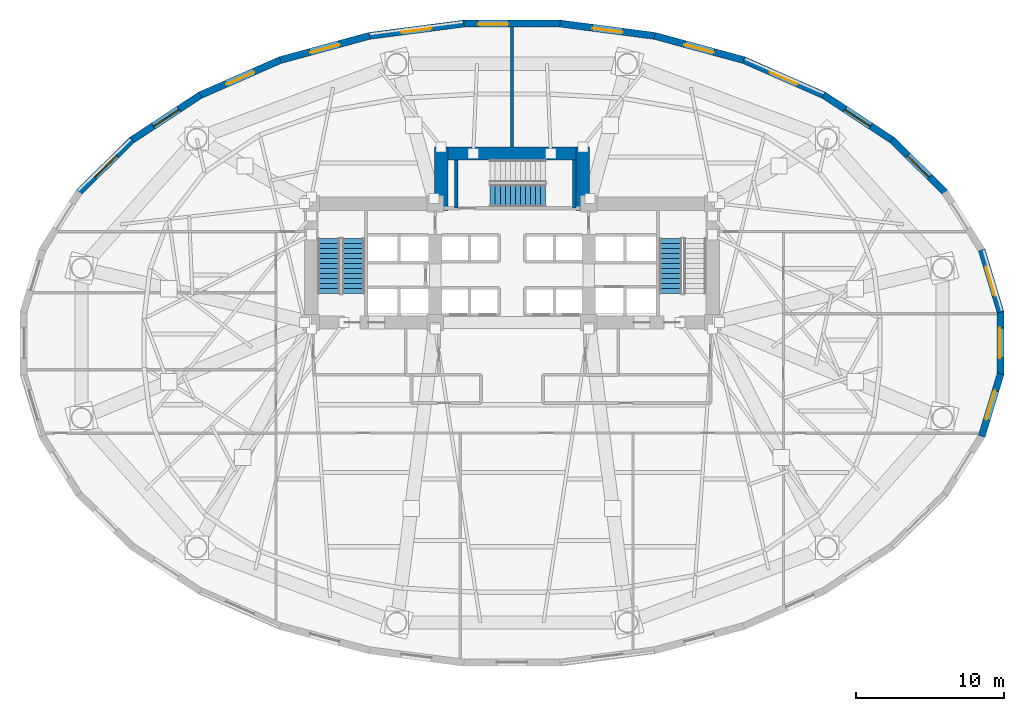
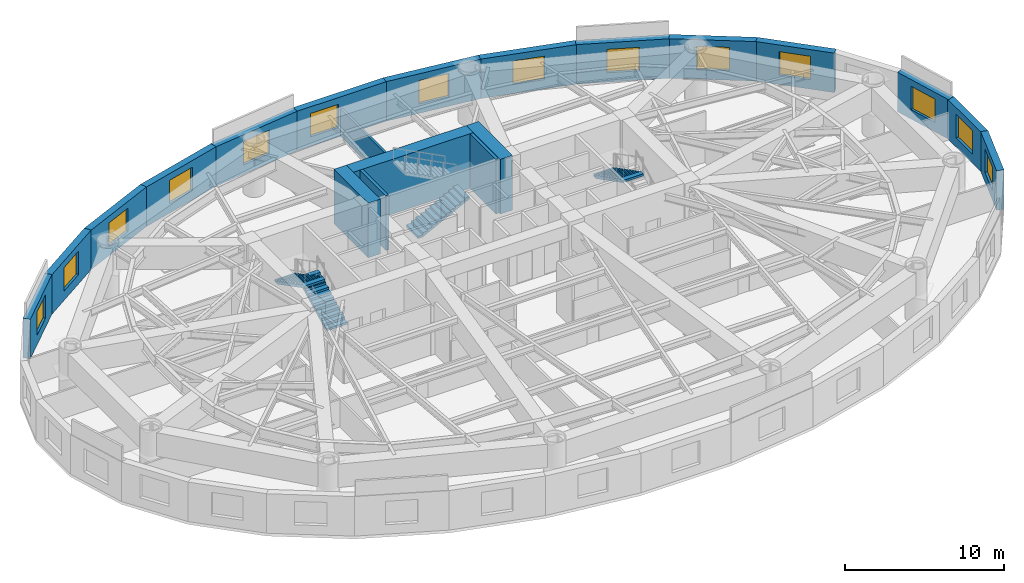
# One storey, part 8 of 14: 20 walls, 14 windows, 4 stair flights, 14 openings, 3 elements without a shape of their own.
"""IFC4 building model written with IfcOpenShell, lengths in metres."""

from ifc_helpers import new_model, si_unit, direction, frame, frame_2d, origin, place, context, subcontext, project, spatial, polyline, rectangle, outline, extrude, material, layer, layer_set, type_object, element, fill, aggregate, save


model = new_model("IFC4")

# Units and contexts
model_context = context("Model", 3, precision=1e-05, world=origin(), true_north=direction((0.0, 1.0)))
body_context = subcontext(model_context, "Body", "Model", "MODEL_VIEW")
ifc_project = project(units=[si_unit("LENGTHUNIT", "METRE"), si_unit("AREAUNIT", "SQUARE_METRE"), si_unit("VOLUMEUNIT", "CUBIC_METRE"), si_unit("PLANEANGLEUNIT", "RADIAN"), si_unit("MASSUNIT", "GRAM", prefix="KILO")], contexts=[model_context])

# Site, building, storey
site_placement = place(None, origin())
site = spatial("IfcSite", under=ifc_project, at=site_placement, CompositionType="ELEMENT")
building_placement = place(site_placement, origin())
building = spatial("IfcBuilding", under=site, at=building_placement, Name="Keldmark Tower", CompositionType="ELEMENT")
storey_placement = place(building_placement, frame((0.0, 0.0, 22.800048828125)))
storey = spatial("IfcBuildingStorey", under=building, at=storey_placement, Name="L05", CompositionType="ELEMENT", Elevation=22.800048828125)

# Walls
ifc_material_1 = material(Name="STC-58 Insulated Tenant Demising Gypsum Partition", Category="gypsum")
ifc_layer_1 = layer(ifc_material_1, 0.175048828125)
ifc_layer_set_1 = layer_set([ifc_layer_1], Name="STC-58 Insulated Tenant Demising Gypsum Partition")
wall_type_1 = type_object("IfcWallType", Name="Demising Suite Partition 175 mm", PredefinedType="PARTITIONING", material=ifc_layer_set_1)
wall_1_placement = place(storey_placement, frame((0.0, 13.300048828125, 0.0), z_axis=(0.0, 0.0, 1.0), x_axis=(0.0, 1.0, 0.0)))
element("IfcWall", 1, at=wall_1_placement, inside=storey, type_object=wall_type_1, Name="L05 Demising Suite Partition 175 mm N-MID-DIV", PredefinedType="PARTITIONING", context=body_context, shape_type="SweptSolid", body=[
    extrude(rectangle(XDim=8.10595703125, YDim=0.175048828125, at=frame_2d((4.052978515625, 0.0))), origin(), (0.0, 0.0, 1.0), 2.08984375),
])
ifc_material_2 = material(Name="Concrete C70/85", Category="concrete")
ifc_layer_2 = layer(ifc_material_2, 0.89990234375)
ifc_layer_set_2 = layer_set([ifc_layer_2], Name="Concrete C70/85")
wall_type_2 = type_object("IfcWallType", Name="Lower Core Shear Wall 900 mm", PredefinedType="SHEAR", material=ifc_layer_set_2)
wall_2_placement = place(storey_placement, frame((-5.25, 12.85009765625, 0.0), z_axis=(0.0, 0.0, 1.0), x_axis=(1.0, 0.0, 0.0)))
element("IfcWall", 2, at=wall_2_placement, inside=storey, type_object=wall_type_2, Name="L05 North Core Shear Wall", PredefinedType="SHEAR", context=body_context, shape_type="SweptSolid", body=[
    extrude(rectangle(XDim=10.5, YDim=0.89990234375, at=frame_2d((5.25, 0.0))), origin(), (0.0, 0.0, 1.0), 4.199951171875),
])
for number, where, z_axis, x_axis, name in (
    (3, (-4.800048828125, 9.0, 0.0), (0.0, 0.0, 1.0), (0.0, 1.0, 0.0), "L05 North Core West Shear Wall"),
    (4, (4.800048828125, 9.0, 0.0), (0.0, 0.0, 1.0), (0.0, 1.0, 0.0), "L05 North Core East Shear Wall"),
):
    element("IfcWall", number, at=place(storey_placement, frame(where, z_axis=z_axis, x_axis=x_axis)), inside=storey, type_object=wall_type_2, Name=name, PredefinedType="SHEAR", context=body_context, shape_type="SweptSolid", body=[
        extrude(rectangle(XDim=4.300048828125, YDim=0.89990234375, at=frame_2d((2.14990234375, 0.0))), origin(), (0.0, 0.0, 1.0), 4.199951171875),
    ])

# Wall, opening, window
ifc_material_3 = material(Name="Ironspot Manganese Brick and Kasota Buff Limestone Cavity Assembly", Category="masonry")
ifc_layer_3 = layer(ifc_material_3, 0.47998046875)
ifc_layer_set_3 = layer_set([ifc_layer_3], Name="Ironspot Manganese Brick and Kasota Buff Limestone Cavity Assembly")
wall_type_3 = type_object("IfcWallType", Name="Podium Brick and Limestone Cavity Wall 480 mm", PredefinedType="STANDARD", material=ifc_layer_set_3)
wall_3_placement = place(storey_placement, frame((31.827880859375, 6.316650390625, 0.0), z_axis=(0.0, 0.0, 1.0), x_axis=(0.289855603468, -0.957070388811, 0.0)))
wall_3 = element("IfcWall", 5, at=wall_3_placement, inside=storey, type_object=wall_type_3, Name="L05 Exterior Brick and Spandrel Wall 01", PredefinedType="STANDARD", context=body_context, shape_type="SweptSolid", body=[
    extrude(rectangle(XDim=4.41943359375, YDim=0.47998046875, at=frame_2d((2.209716796875, 0.0))), origin(), (0.0, 0.0, 1.0), 3.032958984375),
])
opening_1_placement = place(wall_3_placement, frame((1.184814453125, 0.0, 0.719970703125)))
opening_1 = element("IfcOpeningElement", 6, at=opening_1_placement, cuts=wall_3, Name="Opening W-07", PredefinedType="OPENING", context=body_context, shape_type="SweptSolid", body=[
    extrude(rectangle(XDim=2.050048828125, YDim=1.800048828125, at=frame_2d((1.02490234375, 0.89990234375))), frame((0.0, 0.25, 0.0), z_axis=(0.0, -1.0, 0.0), x_axis=(1.0, 0.0, 0.0)), (0.0, 0.0, 1.0), 0.5),
])
ifc_material_4 = material(Name="Thermally Broken Anodized Aluminum and Triple Low-E Argon Glazing", Category="aluminium")
window_type = type_object("IfcWindowType", Name="Podium Mezzanine Punched Window 2050x1800", PartitioningType="DOUBLE_PANEL_VERTICAL", PredefinedType="WINDOW", material=ifc_material_4)
window_1_placement = place(opening_1_placement, origin())
window_1 = element("IfcWindow", 7, at=window_1_placement, inside=storey, type_object=window_type, Name="L05 Deep-Set Window 01", OverallHeight=1.800048828125, OverallWidth=2.050048828125, PartitioningType="SINGLE_PANEL", PredefinedType="WINDOW", context=body_context, shape_type="SweptSolid", body=[
    extrude(rectangle(XDim=2.050048828125, YDim=1.800048828125, at=frame_2d((1.02490234375, 0.89990234375))), frame((0.0, -0.010009765625, 0.0), z_axis=(0.0, -1.0, 0.0), x_axis=(1.0, 0.0, 0.0)), (0.0, 0.0, 1.0), 0.06005859375),
])
fill(opening_1, window_1)

wall_4_placement = place(storey_placement, frame((25.727783203125, 13.785400390625, 0.0), z_axis=(0.0, 0.0, 1.0), x_axis=(0.713189080178, -0.700971708355, 0.0)))
wall_4 = element("IfcWall", 8, at=wall_4_placement, inside=storey, type_object=wall_type_3, Name="L05 Exterior Brick and Spandrel Wall 03", PredefinedType="STANDARD", context=body_context, shape_type="SweptSolid", body=[
    extrude(rectangle(XDim=5.11572265625, YDim=0.47998046875, at=frame_2d((2.557861328125, 0.0))), origin(), (0.0, 0.0, 1.0), 3.032958984375),
])
opening_2_placement = place(wall_4_placement, frame((1.532958984375, 0.0, 0.719970703125)))
opening_2 = element("IfcOpeningElement", 9, at=opening_2_placement, cuts=wall_4, Name="Opening W-07", PredefinedType="OPENING", context=body_context, shape_type="SweptSolid", body=[
    extrude(rectangle(XDim=2.050048828125, YDim=1.800048828125, at=frame_2d((1.02490234375, 0.89990234375))), frame((0.0, 0.25, 0.0), z_axis=(0.0, -1.0, 0.0), x_axis=(1.0, 0.0, 0.0)), (0.0, 0.0, 1.0), 0.5),
])
window_2_placement = place(opening_2_placement, origin())
window_2 = element("IfcWindow", 10, at=window_2_placement, inside=storey, type_object=window_type, Name="L05 Deep-Set Window 03", OverallHeight=1.800048828125, OverallWidth=2.050048828125, PartitioningType="SINGLE_PANEL", PredefinedType="WINDOW", context=body_context, shape_type="SweptSolid", body=[
    extrude(rectangle(XDim=2.050048828125, YDim=1.800048828125, at=frame_2d((1.02490234375, 0.89990234375))), frame((0.0, -0.010009765625, 0.0), z_axis=(0.0, -1.0, 0.0), x_axis=(1.0, 0.0, 0.0)), (0.0, 0.0, 1.0), 0.06005859375),
])
fill(opening_2, window_2)

wall_5_placement = place(storey_placement, frame((21.12060546875, 16.8056640625, 0.0), z_axis=(0.0, 0.0, 1.0), x_axis=(0.835863918172, -0.548936708827, 0.0)))
wall_5 = element("IfcWall", 11, at=wall_5_placement, inside=storey, type_object=wall_type_3, Name="L05 Exterior Brick and Spandrel Wall 04", PredefinedType="STANDARD", context=body_context, shape_type="SweptSolid", body=[
    extrude(rectangle(XDim=5.555419921875, YDim=0.47998046875, at=frame_2d((2.77783203125, 0.0))), origin(), (0.0, 0.0, 1.0), 3.032958984375),
])
opening_3_placement = place(wall_5_placement, frame((1.752685546875, 0.0, 0.719970703125)))
opening_3 = element("IfcOpeningElement", 12, at=opening_3_placement, cuts=wall_5, Name="Opening W-07", PredefinedType="OPENING", context=body_context, shape_type="SweptSolid", body=[
    extrude(rectangle(XDim=2.050048828125, YDim=1.800048828125, at=frame_2d((1.02490234375, 0.89990234375))), frame((0.0, 0.25, 0.0), z_axis=(0.0, -1.0, 0.0), x_axis=(1.0, 0.0, 0.0)), (0.0, 0.0, 1.0), 0.5),
])
window_3_placement = place(opening_3_placement, origin())
window_3 = element("IfcWindow", 13, at=window_3_placement, inside=storey, type_object=window_type, Name="L05 Deep-Set Window 04", OverallHeight=1.800048828125, OverallWidth=2.050048828125, PartitioningType="SINGLE_PANEL", PredefinedType="WINDOW", context=body_context, shape_type="SweptSolid", body=[
    extrude(rectangle(XDim=2.050048828125, YDim=1.800048828125, at=frame_2d((1.02490234375, 0.89990234375))), frame((0.0, -0.010009765625, 0.0), z_axis=(0.0, -1.0, 0.0), x_axis=(1.0, 0.0, 0.0)), (0.0, 0.0, 1.0), 0.06005859375),
])
fill(opening_3, window_3)

wall_6_placement = place(storey_placement, frame((15.6953125, 19.1826171875, 0.0), z_axis=(0.0, 0.0, 1.0), x_axis=(0.91570760638, -0.401845218484, 0.0)))
wall_6 = element("IfcWall", 14, at=wall_6_placement, inside=storey, type_object=wall_type_3, Name="L05 Exterior Brick and Spandrel Wall 05", PredefinedType="STANDARD", context=body_context, shape_type="SweptSolid", body=[
    extrude(rectangle(XDim=5.963134765625, YDim=0.47998046875, at=frame_2d((2.9814453125, 0.0))), origin(), (0.0, 0.0, 1.0), 3.032958984375),
])
opening_4_placement = place(wall_6_placement, frame((1.95654296875, 0.0, 0.719970703125)))
opening_4 = element("IfcOpeningElement", 15, at=opening_4_placement, cuts=wall_6, Name="Opening W-07", PredefinedType="OPENING", context=body_context, shape_type="SweptSolid", body=[
    extrude(rectangle(XDim=2.050048828125, YDim=1.800048828125, at=frame_2d((1.02490234375, 0.89990234375))), frame((0.0, 0.25, 0.0), z_axis=(0.0, -1.0, 0.0), x_axis=(1.0, 0.0, 0.0)), (0.0, 0.0, 1.0), 0.5),
])
window_4_placement = place(opening_4_placement, origin())
window_4 = element("IfcWindow", 16, at=window_4_placement, inside=storey, type_object=window_type, Name="L05 Deep-Set Window 05", OverallHeight=1.800048828125, OverallWidth=2.050048828125, PartitioningType="SINGLE_PANEL", PredefinedType="WINDOW", context=body_context, shape_type="SweptSolid", body=[
    extrude(rectangle(XDim=2.050048828125, YDim=1.800048828125, at=frame_2d((1.02490234375, 0.89990234375))), frame((0.0, -0.010009765625, 0.0), z_axis=(0.0, -1.0, 0.0), x_axis=(1.0, 0.0, 0.0)), (0.0, 0.0, 1.0), 0.06005859375),
])
fill(opening_4, window_4)

wall_7_placement = place(storey_placement, frame((9.66162109375, 20.821044921875, 0.0), z_axis=(0.0, 0.0, 1.0), x_axis=(0.964936550718, -0.262483243445, 0.0)))
wall_7 = element("IfcWall", 17, at=wall_7_placement, inside=storey, type_object=wall_type_3, Name="L05 Exterior Brick and Spandrel Wall 06", PredefinedType="STANDARD", context=body_context, shape_type="SweptSolid", body=[
    extrude(rectangle(XDim=6.28759765625, YDim=0.47998046875, at=frame_2d((3.143798828125, 0.0))), origin(), (0.0, 0.0, 1.0), 3.032958984375),
])
opening_5_placement = place(wall_7_placement, frame((2.118896484375, 0.0, 0.719970703125)))
opening_5 = element("IfcOpeningElement", 18, at=opening_5_placement, cuts=wall_7, Name="Opening W-07", PredefinedType="OPENING", context=body_context, shape_type="SweptSolid", body=[
    extrude(rectangle(XDim=2.050048828125, YDim=1.800048828125, at=frame_2d((1.02490234375, 0.89990234375))), frame((0.0, 0.25, 0.0), z_axis=(0.0, -1.0, 0.0), x_axis=(1.0, 0.0, 0.0)), (0.0, 0.0, 1.0), 0.5),
])
window_5_placement = place(opening_5_placement, origin())
window_5 = element("IfcWindow", 19, at=window_5_placement, inside=storey, type_object=window_type, Name="L05 Deep-Set Window 06", OverallHeight=1.800048828125, OverallWidth=2.050048828125, PartitioningType="SINGLE_PANEL", PredefinedType="WINDOW", context=body_context, shape_type="SweptSolid", body=[
    extrude(rectangle(XDim=2.050048828125, YDim=1.800048828125, at=frame_2d((1.02490234375, 0.89990234375))), frame((0.0, -0.010009765625, 0.0), z_axis=(0.0, -1.0, 0.0), x_axis=(1.0, 0.0, 0.0)), (0.0, 0.0, 1.0), 0.06005859375),
])
fill(opening_5, window_5)

wall_8_placement = place(storey_placement, frame((3.25244140625, 21.656005859375, 0.0), z_axis=(0.0, 0.0, 1.0), x_axis=(0.991576921472, -0.129519144545, 0.0)))
wall_8 = element("IfcWall", 20, at=wall_8_placement, inside=storey, type_object=wall_type_3, Name="L05 Exterior Brick and Spandrel Wall 07", PredefinedType="STANDARD", context=body_context, shape_type="SweptSolid", body=[
    extrude(rectangle(XDim=6.49560546875, YDim=0.47998046875, at=frame_2d((3.247802734375, 0.0))), origin(), (0.0, 0.0, 1.0), 3.032958984375),
])
opening_6_placement = place(wall_8_placement, frame((2.222900390625, 0.0, 0.719970703125)))
opening_6 = element("IfcOpeningElement", 21, at=opening_6_placement, cuts=wall_8, Name="Opening W-07", PredefinedType="OPENING", context=body_context, shape_type="SweptSolid", body=[
    extrude(rectangle(XDim=2.050048828125, YDim=1.800048828125, at=frame_2d((1.02490234375, 0.89990234375))), frame((0.0, 0.25, 0.0), z_axis=(0.0, -1.0, 0.0), x_axis=(1.0, 0.0, 0.0)), (0.0, 0.0, 1.0), 0.5),
])
window_6_placement = place(opening_6_placement, origin())
window_6 = element("IfcWindow", 22, at=window_6_placement, inside=storey, type_object=window_type, Name="L05 Deep-Set Window 07", OverallHeight=1.800048828125, OverallWidth=2.050048828125, PartitioningType="SINGLE_PANEL", PredefinedType="WINDOW", context=body_context, shape_type="SweptSolid", body=[
    extrude(rectangle(XDim=2.050048828125, YDim=1.800048828125, at=frame_2d((1.02490234375, 0.89990234375))), frame((0.0, -0.010009765625, 0.0), z_axis=(0.0, -1.0, 0.0), x_axis=(1.0, 0.0, 0.0)), (0.0, 0.0, 1.0), 0.06005859375),
])
fill(opening_6, window_6)

wall_9_placement = place(storey_placement, frame((-3.28369140625, 21.654052734375, 0.0), z_axis=(0.0, 0.0, 1.0), x_axis=(1.0, 0.0, 0.0)))
wall_9 = element("IfcWall", 23, at=wall_9_placement, inside=storey, type_object=wall_type_3, Name="L05 Exterior Brick and Spandrel Wall 08", PredefinedType="STANDARD", context=body_context, shape_type="SweptSolid", body=[
    extrude(rectangle(XDim=6.5673828125, YDim=0.47998046875, at=frame_2d((3.28369140625, 0.0))), origin(), (0.0, 0.0, 1.0), 3.032958984375),
])
opening_7_placement = place(wall_9_placement, frame((0.99365234375, 0.0, 0.719970703125)))
opening_7 = element("IfcOpeningElement", 24, at=opening_7_placement, cuts=wall_9, Name="Opening W-07", PredefinedType="OPENING", context=body_context, shape_type="SweptSolid", body=[
    extrude(rectangle(XDim=2.050048828125, YDim=1.800048828125, at=frame_2d((1.02490234375, 0.89990234375))), frame((0.0, 0.25, 0.0), z_axis=(0.0, -1.0, 0.0), x_axis=(1.0, 0.0, 0.0)), (0.0, 0.0, 1.0), 0.5),
])
window_7_placement = place(opening_7_placement, origin())
window_7 = element("IfcWindow", 25, at=window_7_placement, inside=storey, type_object=window_type, Name="L05 Deep-Set Window 08", OverallHeight=1.800048828125, OverallWidth=2.050048828125, PartitioningType="SINGLE_PANEL", PredefinedType="WINDOW", context=body_context, shape_type="SweptSolid", body=[
    extrude(rectangle(XDim=2.050048828125, YDim=1.800048828125, at=frame_2d((1.02490234375, 0.89990234375))), frame((0.0, -0.010009765625, 0.0), z_axis=(0.0, -1.0, 0.0), x_axis=(1.0, 0.0, 0.0)), (0.0, 0.0, 1.0), 0.06005859375),
])
fill(opening_7, window_7)

wall_10_placement = place(storey_placement, frame((-9.693359375, 20.814697265625, 0.0), z_axis=(0.0, 0.0, 1.0), x_axis=(0.991576921472, 0.129519144545, 0.0)))
wall_10 = element("IfcWall", 26, at=wall_10_placement, inside=storey, type_object=wall_type_3, Name="L05 Exterior Brick and Spandrel Wall 09", PredefinedType="STANDARD", context=body_context, shape_type="SweptSolid", body=[
    extrude(rectangle(XDim=6.49560546875, YDim=0.47998046875, at=frame_2d((3.247802734375, 0.0))), origin(), (0.0, 0.0, 1.0), 3.032958984375),
])
opening_8_placement = place(wall_10_placement, frame((2.222900390625, 0.0, 0.719970703125)))
opening_8 = element("IfcOpeningElement", 27, at=opening_8_placement, cuts=wall_10, Name="Opening W-07", PredefinedType="OPENING", context=body_context, shape_type="SweptSolid", body=[
    extrude(rectangle(XDim=2.050048828125, YDim=1.800048828125, at=frame_2d((1.02490234375, 0.89990234375))), frame((0.0, 0.25, 0.0), z_axis=(0.0, -1.0, 0.0), x_axis=(1.0, 0.0, 0.0)), (0.0, 0.0, 1.0), 0.5),
])
window_8_placement = place(opening_8_placement, origin())
window_8 = element("IfcWindow", 28, at=window_8_placement, inside=storey, type_object=window_type, Name="L05 Deep-Set Window 09", OverallHeight=1.800048828125, OverallWidth=2.050048828125, PartitioningType="SINGLE_PANEL", PredefinedType="WINDOW", context=body_context, shape_type="SweptSolid", body=[
    extrude(rectangle(XDim=2.050048828125, YDim=1.800048828125, at=frame_2d((1.02490234375, 0.89990234375))), frame((0.0, -0.010009765625, 0.0), z_axis=(0.0, -1.0, 0.0), x_axis=(1.0, 0.0, 0.0)), (0.0, 0.0, 1.0), 0.06005859375),
])
fill(opening_8, window_8)

wall_11_placement = place(storey_placement, frame((-15.728759765625, 19.170654296875, 0.0), z_axis=(0.0, 0.0, 1.0), x_axis=(0.964936550718, 0.262483243445, 0.0)))
wall_11 = element("IfcWall", 29, at=wall_11_placement, inside=storey, type_object=wall_type_3, Name="L05 Exterior Brick and Spandrel Wall 10", PredefinedType="STANDARD", context=body_context, shape_type="SweptSolid", body=[
    extrude(rectangle(XDim=6.28759765625, YDim=0.47998046875, at=frame_2d((3.143798828125, 0.0))), origin(), (0.0, 0.0, 1.0), 3.032958984375),
])
opening_9_placement = place(wall_11_placement, frame((2.118896484375, 0.0, 0.719970703125)))
opening_9 = element("IfcOpeningElement", 30, at=opening_9_placement, cuts=wall_11, Name="Opening W-07", PredefinedType="OPENING", context=body_context, shape_type="SweptSolid", body=[
    extrude(rectangle(XDim=2.050048828125, YDim=1.800048828125, at=frame_2d((1.02490234375, 0.89990234375))), frame((0.0, 0.25, 0.0), z_axis=(0.0, -1.0, 0.0), x_axis=(1.0, 0.0, 0.0)), (0.0, 0.0, 1.0), 0.5),
])
window_9_placement = place(opening_9_placement, origin())
window_9 = element("IfcWindow", 31, at=window_9_placement, inside=storey, type_object=window_type, Name="L05 Deep-Set Window 10", OverallHeight=1.800048828125, OverallWidth=2.050048828125, PartitioningType="SINGLE_PANEL", PredefinedType="WINDOW", context=body_context, shape_type="SweptSolid", body=[
    extrude(rectangle(XDim=2.050048828125, YDim=1.800048828125, at=frame_2d((1.02490234375, 0.89990234375))), frame((0.0, -0.010009765625, 0.0), z_axis=(0.0, -1.0, 0.0), x_axis=(1.0, 0.0, 0.0)), (0.0, 0.0, 1.0), 0.06005859375),
])
fill(opening_9, window_9)

wall_12_placement = place(storey_placement, frame((-21.15576171875, 16.786376953125, 0.0), z_axis=(0.0, 0.0, 1.0), x_axis=(0.91570760638, 0.401845218484, 0.0)))
wall_12 = element("IfcWall", 32, at=wall_12_placement, inside=storey, type_object=wall_type_3, Name="L05 Exterior Brick and Spandrel Wall 11", PredefinedType="STANDARD", context=body_context, shape_type="SweptSolid", body=[
    extrude(rectangle(XDim=5.963134765625, YDim=0.47998046875, at=frame_2d((2.9814453125, 0.0))), origin(), (0.0, 0.0, 1.0), 3.032958984375),
])
opening_10_placement = place(wall_12_placement, frame((1.95654296875, 0.0, 0.719970703125)))
opening_10 = element("IfcOpeningElement", 33, at=opening_10_placement, cuts=wall_12, Name="Opening W-07", PredefinedType="OPENING", context=body_context, shape_type="SweptSolid", body=[
    extrude(rectangle(XDim=2.050048828125, YDim=1.800048828125, at=frame_2d((1.02490234375, 0.89990234375))), frame((0.0, 0.25, 0.0), z_axis=(0.0, -1.0, 0.0), x_axis=(1.0, 0.0, 0.0)), (0.0, 0.0, 1.0), 0.5),
])
window_10_placement = place(opening_10_placement, origin())
window_10 = element("IfcWindow", 34, at=window_10_placement, inside=storey, type_object=window_type, Name="L05 Deep-Set Window 11", OverallHeight=1.800048828125, OverallWidth=2.050048828125, PartitioningType="SINGLE_PANEL", PredefinedType="WINDOW", context=body_context, shape_type="SweptSolid", body=[
    extrude(rectangle(XDim=2.050048828125, YDim=1.800048828125, at=frame_2d((1.02490234375, 0.89990234375))), frame((0.0, -0.010009765625, 0.0), z_axis=(0.0, -1.0, 0.0), x_axis=(1.0, 0.0, 0.0)), (0.0, 0.0, 1.0), 0.06005859375),
])
fill(opening_10, window_10)

wall_13_placement = place(storey_placement, frame((-25.76416015625, 13.756103515625, 0.0), z_axis=(0.0, 0.0, 1.0), x_axis=(0.835863918172, 0.548936708827, 0.0)))
wall_13 = element("IfcWall", 35, at=wall_13_placement, inside=storey, type_object=wall_type_3, Name="L05 Exterior Brick and Spandrel Wall 12", PredefinedType="STANDARD", context=body_context, shape_type="SweptSolid", body=[
    extrude(rectangle(XDim=5.555419921875, YDim=0.47998046875, at=frame_2d((2.77783203125, 0.0))), origin(), (0.0, 0.0, 1.0), 3.032958984375),
])
opening_11_placement = place(wall_13_placement, frame((1.752685546875, 0.0, 0.719970703125)))
opening_11 = element("IfcOpeningElement", 36, at=opening_11_placement, cuts=wall_13, Name="Opening W-07", PredefinedType="OPENING", context=body_context, shape_type="SweptSolid", body=[
    extrude(rectangle(XDim=2.050048828125, YDim=1.800048828125, at=frame_2d((1.02490234375, 0.89990234375))), frame((0.0, 0.25, 0.0), z_axis=(0.0, -1.0, 0.0), x_axis=(1.0, 0.0, 0.0)), (0.0, 0.0, 1.0), 0.5),
])
window_11_placement = place(opening_11_placement, origin())
window_11 = element("IfcWindow", 37, at=window_11_placement, inside=storey, type_object=window_type, Name="L05 Deep-Set Window 12", OverallHeight=1.800048828125, OverallWidth=2.050048828125, PartitioningType="SINGLE_PANEL", PredefinedType="WINDOW", context=body_context, shape_type="SweptSolid", body=[
    extrude(rectangle(XDim=2.050048828125, YDim=1.800048828125, at=frame_2d((1.02490234375, 0.89990234375))), frame((0.0, -0.010009765625, 0.0), z_axis=(0.0, -1.0, 0.0), x_axis=(1.0, 0.0, 0.0)), (0.0, 0.0, 1.0), 0.06005859375),
])
fill(opening_11, window_11)

wall_14_placement = place(storey_placement, frame((-29.376220703125, 10.199462890625, 0.0), z_axis=(0.0, 0.0, 1.0), x_axis=(0.713189080178, 0.700971708355, 0.0)))
wall_14 = element("IfcWall", 38, at=wall_14_placement, inside=storey, type_object=wall_type_3, Name="L05 Exterior Brick and Spandrel Wall 13", PredefinedType="STANDARD", context=body_context, shape_type="SweptSolid", body=[
    extrude(rectangle(XDim=5.11572265625, YDim=0.47998046875, at=frame_2d((2.557861328125, 0.0))), origin(), (0.0, 0.0, 1.0), 3.032958984375),
])
opening_12_placement = place(wall_14_placement, frame((1.532958984375, 0.0, 0.719970703125)))
opening_12 = element("IfcOpeningElement", 39, at=opening_12_placement, cuts=wall_14, Name="Opening W-07", PredefinedType="OPENING", context=body_context, shape_type="SweptSolid", body=[
    extrude(rectangle(XDim=2.050048828125, YDim=1.800048828125, at=frame_2d((1.02490234375, 0.89990234375))), frame((0.0, 0.25, 0.0), z_axis=(0.0, -1.0, 0.0), x_axis=(1.0, 0.0, 0.0)), (0.0, 0.0, 1.0), 0.5),
])
window_12_placement = place(opening_12_placement, origin())
window_12 = element("IfcWindow", 40, at=window_12_placement, inside=storey, type_object=window_type, Name="L05 Deep-Set Window 13", OverallHeight=1.800048828125, OverallWidth=2.050048828125, PartitioningType="SINGLE_PANEL", PredefinedType="WINDOW", context=body_context, shape_type="SweptSolid", body=[
    extrude(rectangle(XDim=2.050048828125, YDim=1.800048828125, at=frame_2d((1.02490234375, 0.89990234375))), frame((0.0, -0.010009765625, 0.0), z_axis=(0.0, -1.0, 0.0), x_axis=(1.0, 0.0, 0.0)), (0.0, 0.0, 1.0), 0.06005859375),
])
fill(opening_12, window_12)

wall_15_placement = place(storey_placement, frame((33.10888671875, -2.0869140625, 0.0), z_axis=(0.0, 0.0, 1.0), x_axis=(-0.289855603468, -0.957070388811, 0.0)))
wall_15 = element("IfcWall", 41, at=wall_15_placement, inside=storey, type_object=wall_type_3, Name="L05 Exterior Brick and Spandrel Wall 31", PredefinedType="STANDARD", context=body_context, shape_type="SweptSolid", body=[
    extrude(rectangle(XDim=4.41943359375, YDim=0.47998046875, at=frame_2d((2.209716796875, 0.0))), origin(), (0.0, 0.0, 1.0), 3.032958984375),
])
opening_13_placement = place(wall_15_placement, frame((1.184814453125, 0.0, 0.719970703125)))
opening_13 = element("IfcOpeningElement", 42, at=opening_13_placement, cuts=wall_15, Name="Opening W-07", PredefinedType="OPENING", context=body_context, shape_type="SweptSolid", body=[
    extrude(rectangle(XDim=2.050048828125, YDim=1.800048828125, at=frame_2d((1.02490234375, 0.89990234375))), frame((0.0, 0.25, 0.0), z_axis=(0.0, -1.0, 0.0), x_axis=(1.0, 0.0, 0.0)), (0.0, 0.0, 1.0), 0.5),
])
window_13_placement = place(opening_13_placement, origin())
window_13 = element("IfcWindow", 43, at=window_13_placement, inside=storey, type_object=window_type, Name="L05 Deep-Set Window 31", OverallHeight=1.800048828125, OverallWidth=2.050048828125, PartitioningType="SINGLE_PANEL", PredefinedType="WINDOW", context=body_context, shape_type="SweptSolid", body=[
    extrude(rectangle(XDim=2.050048828125, YDim=1.800048828125, at=frame_2d((1.02490234375, 0.89990234375))), frame((0.0, -0.010009765625, 0.0), z_axis=(0.0, -1.0, 0.0), x_axis=(1.0, 0.0, 0.0)), (0.0, 0.0, 1.0), 0.06005859375),
])
fill(opening_13, window_13)

wall_16_placement = place(storey_placement, frame((33.0986328125, 2.156494140625, 0.0), z_axis=(0.0, 0.0, 1.0), x_axis=(0.0, -1.0, 0.0)))
wall_16 = element("IfcWall", 44, at=wall_16_placement, inside=storey, type_object=wall_type_3, Name="L05 Exterior Brick and Spandrel Wall 32", PredefinedType="STANDARD", context=body_context, shape_type="SweptSolid", body=[
    extrude(rectangle(XDim=4.31298828125, YDim=0.47998046875, at=frame_2d((2.156494140625, 0.0))), origin(), (0.0, 0.0, 1.0), 3.032958984375),
])
opening_14_placement = place(wall_16_placement, frame((1.13134765625, 0.0, 0.719970703125)))
opening_14 = element("IfcOpeningElement", 45, at=opening_14_placement, cuts=wall_16, Name="Opening W-07", PredefinedType="OPENING", context=body_context, shape_type="SweptSolid", body=[
    extrude(rectangle(XDim=2.050048828125, YDim=1.800048828125, at=frame_2d((1.02490234375, 0.89990234375))), frame((0.0, 0.25, 0.0), z_axis=(0.0, -1.0, 0.0), x_axis=(1.0, 0.0, 0.0)), (0.0, 0.0, 1.0), 0.5),
])
window_14_placement = place(opening_14_placement, origin())
window_14 = element("IfcWindow", 46, at=window_14_placement, inside=storey, type_object=window_type, Name="L05 Deep-Set Window 32", OverallHeight=1.800048828125, OverallWidth=2.050048828125, PartitioningType="SINGLE_PANEL", PredefinedType="WINDOW", context=body_context, shape_type="SweptSolid", body=[
    extrude(rectangle(XDim=2.050048828125, YDim=1.800048828125, at=frame_2d((1.02490234375, 0.89990234375))), frame((0.0, -0.010009765625, 0.0), z_axis=(0.0, -1.0, 0.0), x_axis=(1.0, 0.0, 0.0)), (0.0, 0.0, 1.0), 0.06005859375),
])
fill(opening_14, window_14)

# Walls
ifc_material_5 = material(Name="Concrete C50/60", Category="concrete")
ifc_layer_4 = layer(ifc_material_5, 0.219970703125)
ifc_layer_set_4 = layer_set([ifc_layer_4], Name="Concrete C50/60")
wall_type_4 = type_object("IfcWallType", Name="Stair Core Shear Wall 220 mm", PredefinedType="SHEAR", material=ifc_layer_set_4)
for number, where, z_axis, x_axis, name in (
    (47, (-3.784912109375, 9.139892578125, 0.0), (0.0, 0.0, 1.0), (0.0, 1.0, 0.0), "L05 Central Stair Core West Shear Wall"),
    (48, (4.215087890625, 9.139892578125, 0.0), (0.0, 0.0, 1.0), (0.0, 1.0, 0.0), "L05 Central Stair Core East Shear Wall"),
):
    element("IfcWall", number, at=place(storey_placement, frame(where, z_axis=z_axis, x_axis=x_axis)), inside=storey, type_object=wall_type_4, Name=name, PredefinedType="SHEAR", context=body_context, shape_type="SweptSolid", body=[
        extrude(rectangle(XDim=3.260009765625, YDim=0.219970703125, at=frame_2d((1.6298828125, 0.0))), origin(), (0.0, 0.0, 1.0), 4.199951171875),
    ])

# Stair, stair flights
ifc_material_6 = material(Name="Concrete C40/50", Category="concrete")
stair_type = type_object("IfcStairType", Name="Precast Concrete Core Exit Stair", PredefinedType="HALF_TURN_STAIR", material=ifc_material_6)
stair_1_placement = place(storey_placement, origin())
stair_1 = element("IfcStair", 49, at=stair_1_placement, inside=storey, type_object=stair_type, Name="L05 Exit Stair ST1", PredefinedType="HALF_TURN_STAIR")
ifc_material_7 = material(Name="Concrete C40/50", Category="concrete")
stair_flight_type = type_object("IfcStairFlightType", Name="Precast Concrete Stair Flight 1500 mm", PredefinedType="STRAIGHT", material=ifc_material_7)
stair_flight_1_placement = place(storey_placement, frame((-10.75, 3.35009765625, 0.0), z_axis=(0.0, 0.0, 1.0), x_axis=(0.0, 1.0, 0.0)))
stair_flight_1 = element("IfcStairFlight", 50, at=stair_flight_1_placement, type_object=stair_flight_type, Name="ST1 flight 1", NumberOfRisers=12, NumberOfTreads=11, PredefinedType="STRAIGHT", RiserHeight=0.175, TreadLength=0.34, context=body_context, shape_type="SweptSolid", body=[
    extrude(outline(polyline([(0.0, 0.0), (0.0, 0.175048828125), (0.340087890625, 0.175048828125), (0.340087890625, 0.35009765625), (0.679931640625, 0.35009765625), (0.679931640625, 0.52490234375), (1.02001953125, 0.52490234375), (1.02001953125, 0.699951171875), (1.360107421875, 0.699951171875), (1.360107421875, 0.875), (1.699951171875, 0.875), (1.699951171875, 1.050048828125), (2.0400390625, 1.050048828125), (2.0400390625, 1.22509765625), (2.3798828125, 1.22509765625), (2.3798828125, 1.39990234375), (2.719970703125, 1.39990234375), (2.719970703125, 1.574951171875), (3.06005859375, 1.574951171875), (3.06005859375, 1.75), (3.39990234375, 1.75), (3.39990234375, 1.925048828125), (3.739990234375, 1.925048828125), (3.739990234375, 2.10009765625), (3.739990234375, 1.75634765625), (0.32763671875, 0.0), (0.0, 0.0)])), frame((0.0, 0.75, 0.0), z_axis=(0.0, -1.0, 0.0), x_axis=(1.0, 0.0, 0.0)), (0.0, 0.0, 1.0), 1.5),
])
stair_flight_2_placement = place(storey_placement, frame((-12.39990234375, 7.090087890625, 2.099853515625), z_axis=(0.0, 0.0, 1.0), x_axis=(0.0, -1.0, 0.0)))
stair_flight_2 = element("IfcStairFlight", 51, at=stair_flight_2_placement, type_object=stair_flight_type, Name="ST1 flight 2", NumberOfRisers=12, NumberOfTreads=11, PredefinedType="STRAIGHT", RiserHeight=0.175, TreadLength=0.34, context=body_context, shape_type="SweptSolid", body=[
    extrude(outline(polyline([(0.0, 0.0), (0.0, 0.175048828125), (0.340087890625, 0.175048828125), (0.340087890625, 0.35009765625), (0.679931640625, 0.35009765625), (0.679931640625, 0.52490234375), (1.02001953125, 0.52490234375), (1.02001953125, 0.699951171875), (1.360107421875, 0.699951171875), (1.360107421875, 0.875), (1.699951171875, 0.875), (1.699951171875, 1.050048828125), (2.0400390625, 1.050048828125), (2.0400390625, 1.22509765625), (2.3798828125, 1.22509765625), (2.3798828125, 1.39990234375), (2.719970703125, 1.39990234375), (2.719970703125, 1.574951171875), (3.06005859375, 1.574951171875), (3.06005859375, 1.75), (3.39990234375, 1.75), (3.39990234375, 1.925048828125), (3.739990234375, 1.925048828125), (3.739990234375, 2.10009765625), (3.739990234375, 1.75634765625), (0.32763671875, 0.0), (0.0, 0.0)])), frame((0.0, 0.75, 0.0), z_axis=(0.0, -1.0, 0.0), x_axis=(1.0, 0.0, 0.0)), (0.0, 0.0, 1.0), 1.5),
])
aggregate(stair_1, [stair_flight_1, stair_flight_2])

# Stair, stair flight
stair_2_placement = place(storey_placement, origin())
stair_2 = element("IfcStair", 52, at=stair_2_placement, inside=storey, type_object=stair_type, Name="L05 Exit Stair ST2", PredefinedType="HALF_TURN_STAIR")
stair_flight_3_placement = place(storey_placement, frame((10.75, 7.090087890625, 2.099853515625), z_axis=(0.0, 0.0, 1.0), x_axis=(0.0, -1.0, 0.0)))
stair_flight_3 = element("IfcStairFlight", 53, at=stair_flight_3_placement, type_object=stair_flight_type, Name="ST2 flight 2", NumberOfRisers=12, NumberOfTreads=11, PredefinedType="STRAIGHT", RiserHeight=0.175, TreadLength=0.34, context=body_context, shape_type="SweptSolid", body=[
    extrude(outline(polyline([(0.0, 0.0), (0.0, 0.175048828125), (0.340087890625, 0.175048828125), (0.340087890625, 0.35009765625), (0.679931640625, 0.35009765625), (0.679931640625, 0.52490234375), (1.02001953125, 0.52490234375), (1.02001953125, 0.699951171875), (1.360107421875, 0.699951171875), (1.360107421875, 0.875), (1.699951171875, 0.875), (1.699951171875, 1.050048828125), (2.0400390625, 1.050048828125), (2.0400390625, 1.22509765625), (2.3798828125, 1.22509765625), (2.3798828125, 1.39990234375), (2.719970703125, 1.39990234375), (2.719970703125, 1.574951171875), (3.06005859375, 1.574951171875), (3.06005859375, 1.75), (3.39990234375, 1.75), (3.39990234375, 1.925048828125), (3.739990234375, 1.925048828125), (3.739990234375, 2.10009765625), (3.739990234375, 1.75634765625), (0.32763671875, 0.0), (0.0, 0.0)])), frame((0.0, 0.75, 0.0), z_axis=(0.0, -1.0, 0.0), x_axis=(1.0, 0.0, 0.0)), (0.0, 0.0, 1.0), 1.5),
])
aggregate(stair_2, [stair_flight_3])

stair_3_placement = place(storey_placement, origin())
stair_3 = element("IfcStair", 54, at=stair_3_placement, inside=storey, type_object=stair_type, Name="L05 Exit Stair ST3", PredefinedType="HALF_TURN_STAIR")
stair_flight_4_placement = place(storey_placement, frame((-1.47509765625, 10.0, 0.0), z_axis=(0.0, 0.0, 1.0), x_axis=(1.0, 0.0, 0.0)))
stair_flight_4 = element("IfcStairFlight", 55, at=stair_flight_4_placement, type_object=stair_flight_type, Name="ST3 flight 1", NumberOfRisers=12, NumberOfTreads=11, PredefinedType="STRAIGHT", RiserHeight=0.175, TreadLength=0.34, context=body_context, shape_type="SweptSolid", body=[
    extrude(outline(polyline([(0.0, 0.0), (0.0, 0.175048828125), (0.340087890625, 0.175048828125), (0.340087890625, 0.35009765625), (0.679931640625, 0.35009765625), (0.679931640625, 0.52490234375), (1.02001953125, 0.52490234375), (1.02001953125, 0.699951171875), (1.360107421875, 0.699951171875), (1.360107421875, 0.875), (1.699951171875, 0.875), (1.699951171875, 1.050048828125), (2.0400390625, 1.050048828125), (2.0400390625, 1.22509765625), (2.3798828125, 1.22509765625), (2.3798828125, 1.39990234375), (2.719970703125, 1.39990234375), (2.719970703125, 1.574951171875), (3.06005859375, 1.574951171875), (3.06005859375, 1.75), (3.39990234375, 1.75), (3.39990234375, 1.925048828125), (3.739990234375, 1.925048828125), (3.739990234375, 2.10009765625), (3.739990234375, 1.75634765625), (0.32763671875, 0.0), (0.0, 0.0)])), frame((0.0, 0.75, 0.0), z_axis=(0.0, -1.0, 0.0), x_axis=(1.0, 0.0, 0.0)), (0.0, 0.0, 1.0), 1.5),
])
aggregate(stair_3, [stair_flight_4])

save(model, "model.ifc")
